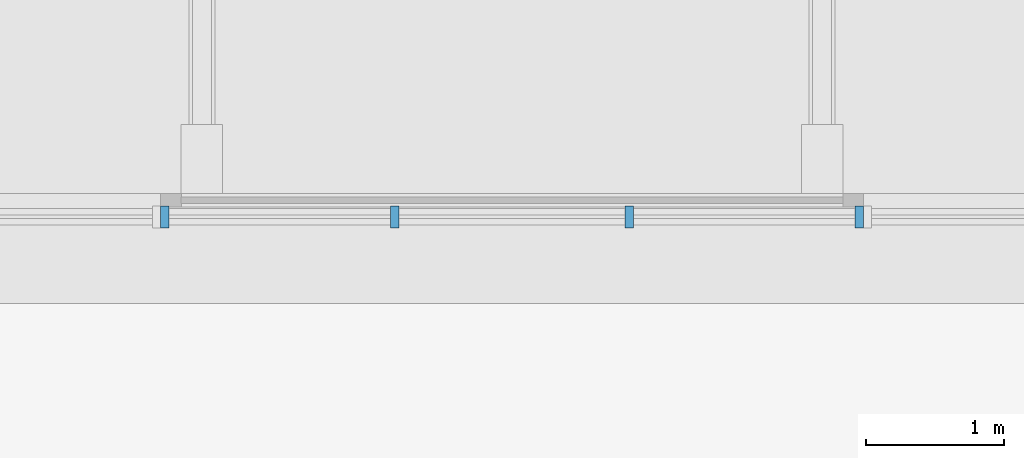
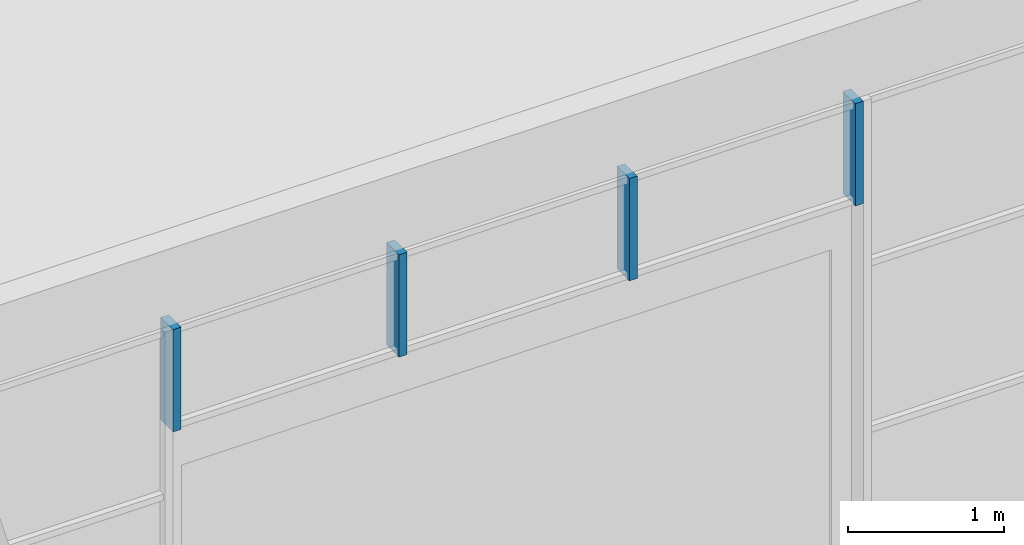
# One storey, part 71 of 168: 4 members, 1 element without a shape of its own.
"""IFC4 building model written with IfcOpenShell, lengths in metres."""

from ifc_helpers import new_model, si_unit, direction, frame, origin, origin_2d, place, context, subcontext, project, spatial, rectangle, extrude, material, material_profile, profile_set, type_object, element, aggregate, save


model = new_model("IFC4")

# Units and contexts
model_context = context("Model", 3, precision=1e-05, world=origin(), true_north=direction((0.0, 1.0)))
body_context = subcontext(model_context, "Body", "Model", "MODEL_VIEW")
ifc_project = project(units=[si_unit("LENGTHUNIT", "METRE"), si_unit("AREAUNIT", "SQUARE_METRE"), si_unit("VOLUMEUNIT", "CUBIC_METRE"), si_unit("PLANEANGLEUNIT", "RADIAN"), si_unit("MASSUNIT", "GRAM", prefix="KILO")], contexts=[model_context])

# Site, building, storey
site_placement = place(None, origin())
site = spatial("IfcSite", under=ifc_project, at=site_placement, CompositionType="ELEMENT")
building_placement = place(site_placement, origin())
building = spatial("IfcBuilding", under=site, at=building_placement, Name="Silverbay Arena", CompositionType="ELEMENT")
storey_placement = place(building_placement, frame((0.0, 0.0, 7.0)))
storey = spatial("IfcBuildingStorey", under=building, at=storey_placement, Name="L01", CompositionType="ELEMENT", Elevation=7.0)

# Curtain wall, members
ifc_material_1 = material(Name="Aluminium framed curtain wall", Category="aluminium")
curtain_wall_type = type_object("IfcCurtainWallType", Name="Curtain wall 5100 x 800", PredefinedType="NOTDEFINED", material=ifc_material_1)
curtain_wall_placement = place(storey_placement, origin())
curtain_wall = element("IfcCurtainWall", 1, at=curtain_wall_placement, inside=storey, type_object=curtain_wall_type, Name="North curtain wall L01 bay 6", PredefinedType="NOTDEFINED")
ifc_material_2 = material(Name="Aluminium", Category="aluminium")
ifc_material_profile = material_profile(ifc_material_2, rectangle(XDim=0.159912109375, YDim=0.06005859375, at=origin_2d()), Name="Mullion 60 x 160")
ifc_profile_set = profile_set([ifc_material_profile], Name="Aluminium")
member_type = type_object("IfcMemberType", Name="Mullion 60 x 160", PredefinedType="MULLION", material=ifc_profile_set)
member_1_placement = place(storey_placement, frame((79.02001953125, 144.330078125, 3.10009765625), z_axis=(0.0, 0.0, 1.0), x_axis=(0.0, -1.0, 0.0)))
member_1 = element("IfcMember", 2, at=member_1_placement, type_object=member_type, Name="CW3 mullion 1", PredefinedType="MULLION", context=body_context, shape_type="SweptSolid", body=[
    extrude(rectangle(XDim=0.159912109375, YDim=0.06005859375, at=origin_2d()), origin(), (0.0, 0.0, 1.0), 0.7998046875),
])
member_2_placement = place(storey_placement, frame((77.35009765625, 144.330078125, 3.10009765625), z_axis=(0.0, 0.0, 1.0), x_axis=(0.0, -1.0, 0.0)))
member_2 = element("IfcMember", 3, at=member_2_placement, type_object=member_type, Name="CW3 mullion 2", PredefinedType="MULLION", context=body_context, shape_type="SweptSolid", body=[
    extrude(rectangle(XDim=0.159912109375, YDim=0.06005859375, at=origin_2d()), origin(), (0.0, 0.0, 1.0), 0.7998046875),
])
member_3_placement = place(storey_placement, frame((75.64990234375, 144.330078125, 3.10009765625), z_axis=(0.0, 0.0, 1.0), x_axis=(0.0, -1.0, 0.0)))
member_3 = element("IfcMember", 4, at=member_3_placement, type_object=member_type, Name="CW3 mullion 3", PredefinedType="MULLION", context=body_context, shape_type="SweptSolid", body=[
    extrude(rectangle(XDim=0.159912109375, YDim=0.06005859375, at=origin_2d()), origin(), (0.0, 0.0, 1.0), 0.7998046875),
])
member_4_placement = place(storey_placement, frame((73.97998046875, 144.330078125, 3.10009765625), z_axis=(0.0, 0.0, 1.0), x_axis=(0.0, -1.0, 0.0)))
member_4 = element("IfcMember", 5, at=member_4_placement, type_object=member_type, Name="CW3 mullion 4", PredefinedType="MULLION", context=body_context, shape_type="SweptSolid", body=[
    extrude(rectangle(XDim=0.159912109375, YDim=0.06005859375, at=origin_2d()), origin(), (0.0, 0.0, 1.0), 0.7998046875),
])
aggregate(curtain_wall, [member_1, member_2, member_3, member_4])

save(model, "model.ifc")
